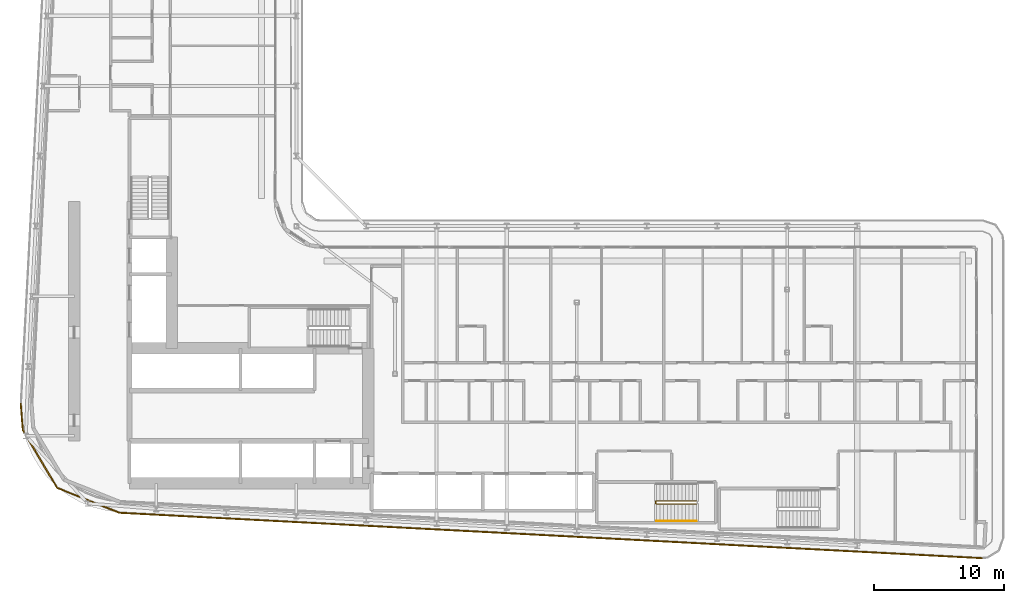
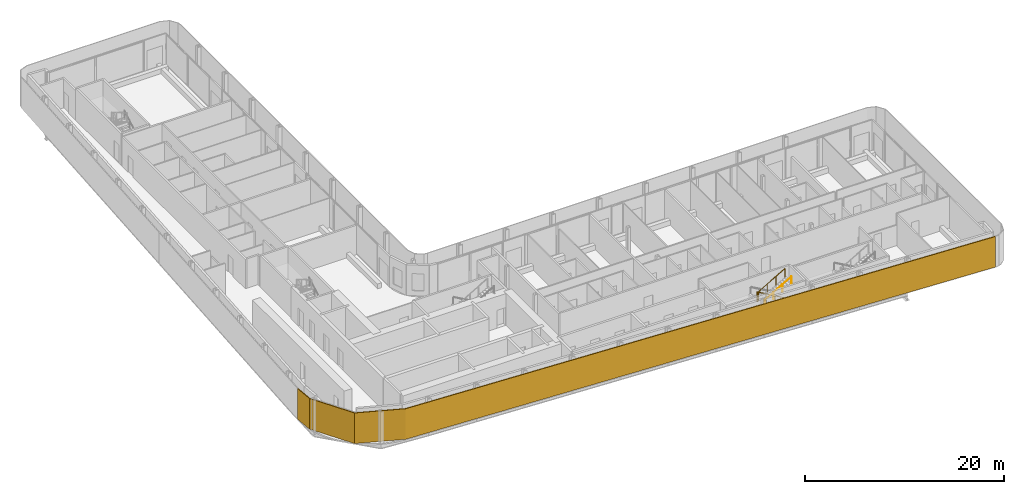
# One storey, part 21 of 25: 2 railings, 1 shading device.
"""IFC4 building model written with IfcOpenShell, lengths in metres."""

from ifc_helpers import new_model, si_unit, direction, frame, origin, origin_2d, place, context, subcontext, project, spatial, polyline, circle, outline, extrude, material, layer, layer_set, type_object, element, save


model = new_model("IFC4")

# Units and contexts
model_context = context("Model", 3, precision=1e-05, world=origin(), true_north=direction((0.0, 1.0)))
body_context = subcontext(model_context, "Body", "Model", "MODEL_VIEW")
ifc_project = project(units=[si_unit("LENGTHUNIT", "METRE"), si_unit("AREAUNIT", "SQUARE_METRE"), si_unit("VOLUMEUNIT", "CUBIC_METRE"), si_unit("PLANEANGLEUNIT", "RADIAN"), si_unit("MASSUNIT", "GRAM", prefix="KILO")], contexts=[model_context])

# Site, building, storey
site_placement = place(None, origin())
site = spatial("IfcSite", under=ifc_project, at=site_placement, CompositionType="ELEMENT")
building_placement = place(site_placement, origin())
building = spatial("IfcBuilding", under=site, at=building_placement, Name="Kheshtan School and Residences Tower", CompositionType="ELEMENT")
storey_placement = place(building_placement, frame((0.0, 0.0, 109.699951171875)))
storey = spatial("IfcBuildingStorey", under=building, at=storey_placement, Name="L25", CompositionType="ELEMENT", Elevation=109.699951171875)

# Shading device
ifc_material_1 = material(Name="Terracotta baguette, extruded ceramic", Category="masonry")
ifc_layer = layer(ifc_material_1, 0.10009765625)
ifc_layer_set = layer_set([ifc_layer], Name="Ledge screen, terracotta baguettes")
shading_device_type = type_object("IfcShadingDeviceType", Name="Ledge screen, terracotta baguettes", PredefinedType="USERDEFINED", material=ifc_layer_set)
shading_device_placement = place(storey_placement, origin())
element("IfcShadingDevice", 1, at=shading_device_placement, inside=storey, type_object=shading_device_type, Name="Screen L25 3", ObjectType="BAGUETTE", PredefinedType="USERDEFINED", context=body_context, shape_type="SweptSolid", body=[
    extrude(outline(polyline([(100.4208984375, 20.0830078125), (33.989013671875, 23.580078125), (29.2119140625, 25.486083984375), (26.583984375, 29.906982421875), (26.419921875, 31.989013671875), (26.320068359375, 31.98095703125), (26.486083984375, 29.8759765625), (29.14306640625, 25.406005859375), (33.967041015625, 23.48095703125), (100.416015625, 19.98291015625), (100.4208984375, 20.0830078125)])), origin(), (0.0, 0.0, 1.0), 3.75),
])

# Railings
ifc_material_2 = material(Name="Stainless steel balustrade", Category="steel")
railing_type_1 = type_object("IfcRailingType", Name="Stair guard 1100", PredefinedType="GUARDRAIL", material=ifc_material_2)
railing_1_placement = place(storey_placement, frame((78.409912109375, 24.449951171875, 0.16259765625)))
element("IfcRailing", 2, at=railing_1_placement, inside=storey, type_object=railing_type_1, Name="L25 ST5 stair guard 1", PredefinedType="GUARDRAIL", context=body_context, shape_type="SweptSolid", body=[
    extrude(circle(Radius=0.02392578125, at=origin_2d()), frame((0.0, 0.0, 1.076171875), z_axis=(-0.864903211148, 0.0, 0.501938676878), x_axis=(0.0, -1.0, 0.0)), (0.0, 0.0, 1.0), 3.560791015625),
    extrude(circle(Radius=0.02392578125, at=origin_2d()), frame((-3.079833984375, 0.0, 2.86328125), z_axis=(-0.707106781187, -0.707106781187, 0.0), x_axis=(0.707106781187, -0.707106781187, 0.0)), (0.0, 0.0, 1.0), 0.07080078125),
    extrude(circle(Radius=0.02392578125, at=origin_2d()), frame((-3.1298828125, -0.050048828125, 2.86328125), z_axis=(0.0, -1.0, 0.0), x_axis=(1.0, 0.0, 0.0)), (0.0, 0.0, 1.0), 0.14990234375),
    extrude(circle(Radius=0.02392578125, at=origin_2d()), frame((-3.1298828125, -0.199951171875, 2.86328125), z_axis=(0.282227285176, -0.282227285176, 0.916894497205), x_axis=(0.707106781187, 0.707106781187, 0.0)), (0.0, 0.0, 1.0), 0.17724609375),
    extrude(circle(Radius=0.02392578125, at=origin_2d()), frame((-3.079833984375, -0.25, 3.02587890625), z_axis=(0.864873446163, 0.0, 0.501989962173), x_axis=(0.0, 1.0, 0.0)), (0.0, 0.0, 1.0), 3.56103515625),
    extrude(circle(Radius=0.02099609375, at=origin_2d()), origin(), (0.0, 0.0, 1.0), 1.052001953125),
    extrude(circle(Radius=0.02099609375, at=origin_2d()), frame((-1.026611328125, 0.0, 0.595703125)), (0.0, 0.0, 1.0), 1.052001953125),
    extrude(circle(Radius=0.02099609375, at=origin_2d()), frame((-2.05322265625, 0.0, 1.191650390625)), (0.0, 0.0, 1.0), 1.052001953125),
    extrude(circle(Radius=0.02099609375, at=origin_2d()), frame((-3.079833984375, 0.0, 1.787353515625)), (0.0, 0.0, 1.0), 1.052001953125),
    extrude(circle(Radius=0.02099609375, at=origin_2d()), frame((-3.1298828125, -0.050048828125, 1.787353515625)), (0.0, 0.0, 1.0), 1.052001953125),
    extrude(circle(Radius=0.02099609375, at=origin_2d()), frame((-3.1298828125, -0.199951171875, 1.787353515625)), (0.0, 0.0, 1.0), 1.052001953125),
    extrude(circle(Radius=0.02099609375, at=origin_2d()), frame((-3.079833984375, -0.25, 1.949951171875)), (0.0, 0.0, 1.0), 1.052001953125),
    extrude(circle(Radius=0.02099609375, at=origin_2d()), frame((-2.05322265625, -0.25, 2.5458984375)), (0.0, 0.0, 1.0), 1.052001953125),
    extrude(circle(Radius=0.02099609375, at=origin_2d()), frame((-1.026611328125, -0.25, 3.1416015625)), (0.0, 0.0, 1.0), 1.052001953125),
    extrude(circle(Radius=0.02099609375, at=origin_2d()), frame((0.0, -0.25, 3.737548828125)), (0.0, 0.0, 1.0), 1.052001953125),
])
ifc_material_3 = material(Name="Stainless steel handrail", Category="steel")
railing_type_2 = type_object("IfcRailingType", Name="Stair handrail 900", PredefinedType="HANDRAIL", material=ifc_material_3)
railing_2_placement = place(storey_placement, frame((75.330078125, 22.89990234375, 2.112548828125)))
element("IfcRailing", 3, at=railing_2_placement, inside=storey, type_object=railing_type_2, Name="L25 ST5 stair handrail 2", PredefinedType="HANDRAIL", context=body_context, shape_type="SweptSolid", body=[
    extrude(circle(Radius=0.02392578125, at=origin_2d()), frame((0.0, 0.0, 0.8759765625), z_axis=(0.864873446163, 0.0, 0.501989962173), x_axis=(0.0, 1.0, 0.0)), (0.0, 0.0, 1.0), 3.56103515625),
    extrude(circle(Radius=0.02099609375, at=origin_2d()), origin(), (0.0, 0.0, 1.0), 0.851806640625),
    extrude(circle(Radius=0.02099609375, at=origin_2d()), frame((1.026611328125, 0.0, 0.595947265625)), (0.0, 0.0, 1.0), 0.851806640625),
    extrude(circle(Radius=0.02099609375, at=origin_2d()), frame((2.05322265625, 0.0, 1.191650390625)), (0.0, 0.0, 1.0), 0.851806640625),
    extrude(circle(Radius=0.02099609375, at=origin_2d()), frame((3.079833984375, 0.0, 1.78759765625)), (0.0, 0.0, 1.0), 0.851806640625),
])

save(model, "model.ifc")
